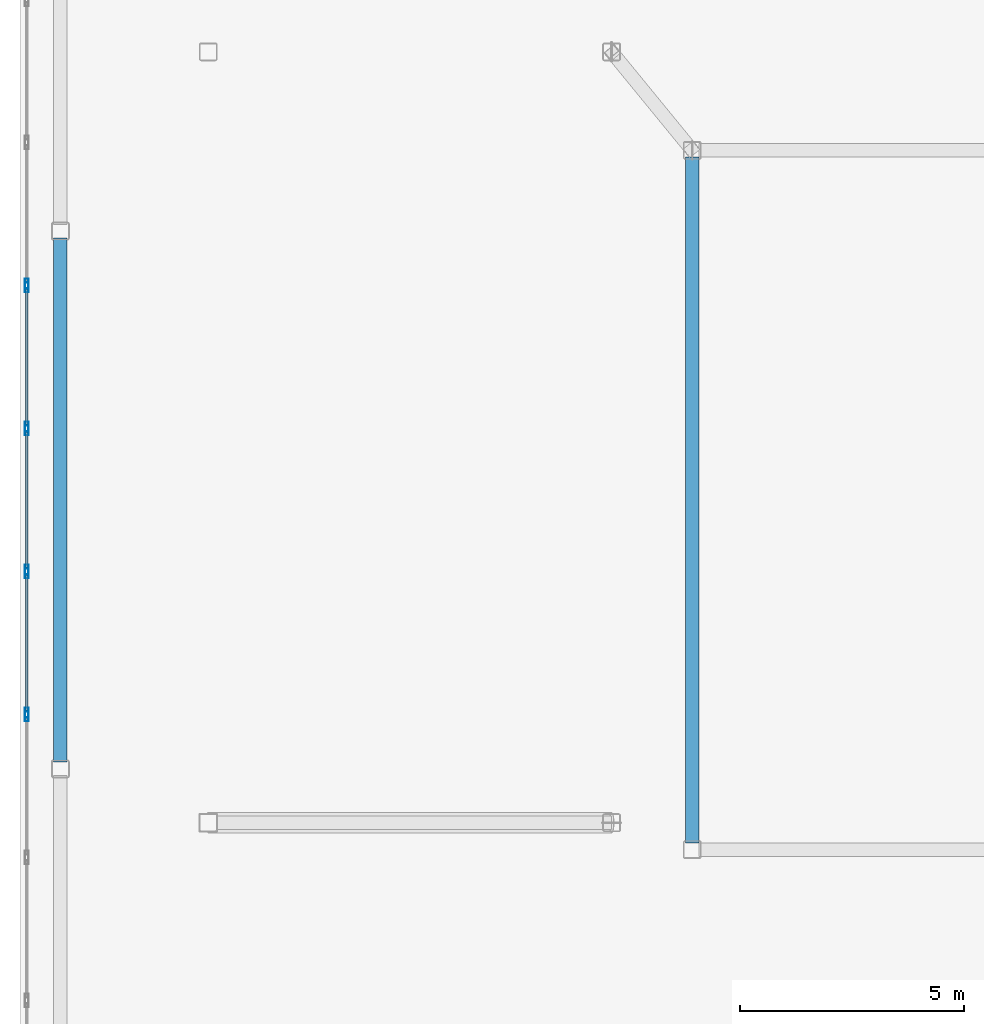
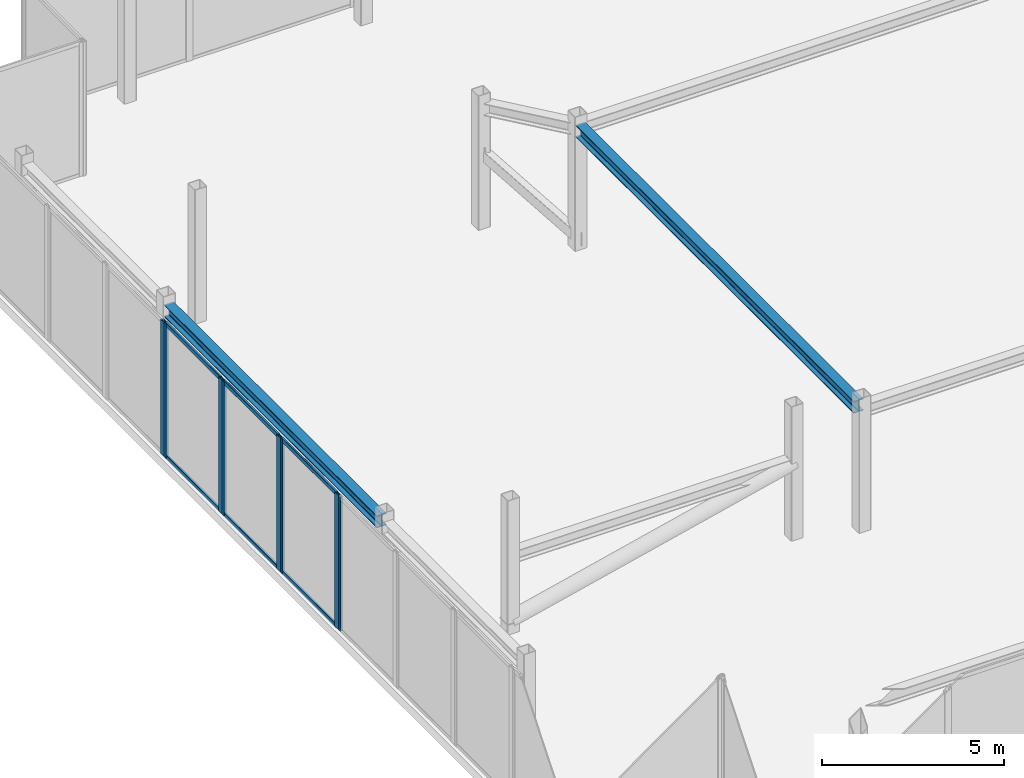
# One storey, part 5 of 14: 14 members, 2 beams, 5 elements without a shape of their own.
"""IFC4 building model written with IfcOpenShell, lengths in metres."""

from ifc_helpers import new_model, si_unit, direction, frame, origin, origin_2d, place, context, subcontext, project, spatial, hollow_rectangle, i_section, extrude, material, layer, layer_set, material_profile, profile_set, type_object, element, aggregate, save


model = new_model("IFC4")

# Units and contexts
model_context = context("Model", 3, precision=1e-05, world=origin(), true_north=direction((0.0, 1.0)))
body_context = subcontext(model_context, "Body", "Model", "MODEL_VIEW")
ifc_project = project(units=[si_unit("LENGTHUNIT", "METRE"), si_unit("AREAUNIT", "SQUARE_METRE"), si_unit("VOLUMEUNIT", "CUBIC_METRE"), si_unit("PLANEANGLEUNIT", "RADIAN"), si_unit("MASSUNIT", "GRAM", prefix="KILO")], contexts=[model_context])

# Site, building, storey
site_placement = place(None, origin())
site = spatial("IfcSite", under=ifc_project, at=site_placement, CompositionType="ELEMENT")
building_placement = place(site_placement, origin())
building = spatial("IfcBuilding", under=site, at=building_placement, Name="Tarnavaz Court Tower", CompositionType="ELEMENT")
storey_placement = place(building_placement, frame((0.0, 0.0, 286.050048828125)))
storey = spatial("IfcBuildingStorey", under=building, at=storey_placement, Name="C02", CompositionType="ELEMENT", Elevation=286.050048828125)

# Beams
ifc_material_1 = material(Name="Steel S355", Category="steel")
ifc_material_profile_1 = material_profile(ifc_material_1, i_section(OverallWidth=0.300048828125, OverallDepth=0.39990234375, WebThickness=0.013427734375, FlangeThickness=0.02392578125, FilletRadius=0.027099609375, at=origin_2d()), Name="HEB 400")
ifc_profile_set_1 = profile_set([ifc_material_profile_1], Name="Steel S355")
beam_type = type_object("IfcBeamType", Name="BM-G-HEB400", PredefinedType="USERDEFINED", material=ifc_profile_set_1)
beam_1_placement = place(storey_placement, frame((-7.800048828125, -7.64990234375, 4.0), z_axis=(0.0, 1.0, 0.0), x_axis=(-1.0, 0.0, 0.0)))
element("IfcBeam", 1, at=beam_1_placement, inside=storey, type_object=beam_type, Name="C02 Beam CRG-IW-SW-IW-NW", ObjectType="GIRDER", PredefinedType="USERDEFINED", context=body_context, shape_type="SweptSolid", body=[
    extrude(i_section(OverallWidth=0.300048828125, OverallDepth=0.39990234375, WebThickness=0.013427734375, FlangeThickness=0.02392578125, FilletRadius=0.027099609375, at=origin_2d()), origin(), (0.0, 0.0, 1.0), 15.2998046875),
])
beam_2_placement = place(storey_placement, frame((-21.89990234375, -5.85009765625, 4.0), z_axis=(0.0, 1.0, 0.0), x_axis=(-1.0, 0.0, 0.0)))
element("IfcBeam", 2, at=beam_2_placement, inside=storey, type_object=beam_type, Name="C02 Beam CRG-PW-2-PW-3", ObjectType="GIRDER", PredefinedType="USERDEFINED", context=body_context, shape_type="SweptSolid", body=[
    extrude(i_section(OverallWidth=0.300048828125, OverallDepth=0.39990234375, WebThickness=0.013427734375, FlangeThickness=0.02392578125, FilletRadius=0.027099609375, at=origin_2d()), origin(), (0.0, 0.0, 1.0), 11.7001953125),
])

# Curtain wall, member
ifc_material_2 = material(Name="Anodised Aluminium 6063-T6 and Solar Low-E Glazing", Category="aluminium")
ifc_layer = layer(ifc_material_2, 0.2099609375)
ifc_layer_set = layer_set([ifc_layer], Name="Anodised Aluminium 6063-T6 and Solar Low-E Glazing")
curtain_wall_type = type_object("IfcCurtainWallType", Name="CW-SYS-06", PredefinedType="NOTDEFINED", material=ifc_layer_set)
curtain_wall_1_placement = place(storey_placement, origin())
curtain_wall_1 = element("IfcCurtainWall", 3, at=curtain_wall_1_placement, inside=storey, type_object=curtain_wall_type, Name="C02 Slanted Crown Terracotta Curtain Wall 7", PredefinedType="NOTDEFINED")
ifc_material_3 = material(Name="Anodised Aluminium 6063-T6", Category="aluminium")
ifc_material_profile_2 = material_profile(ifc_material_3, hollow_rectangle(XDim=0.0849609375, YDim=0.219970703125, WallThickness=0.006103515625, InnerFilletRadius=0.006103515625, OuterFilletRadius=0.011962890625, at=origin_2d()), Name="ALU RHS 220X85X6")
ifc_profile_set_2 = profile_set([ifc_material_profile_2], Name="Anodised Aluminium 6063-T6")
member_type_1 = type_object("IfcMemberType", Name="CW-MUL-220", PredefinedType="MULLION", material=ifc_profile_set_2)
member_1_placement = place(storey_placement, frame((-22.64990234375, -4.828857421875, 0.0), z_axis=(0.0, 0.0, 1.0), x_axis=(-1.0, 0.0, 0.0)))
member_1 = element("IfcMember", 4, at=member_1_placement, type_object=member_type_1, Name="CW mullion 2", PredefinedType="MULLION", context=body_context, shape_type="SweptSolid", body=[
    extrude(hollow_rectangle(XDim=0.0849609375, YDim=0.219970703125, WallThickness=0.006103515625, InnerFilletRadius=0.006103515625, OuterFilletRadius=0.011962890625, at=origin_2d()), origin(), (0.0, 0.0, 1.0), 4.5),
])
aggregate(curtain_wall_1, [member_1])

# Curtain wall, members
curtain_wall_2_placement = place(storey_placement, origin())
curtain_wall_2 = element("IfcCurtainWall", 5, at=curtain_wall_2_placement, inside=storey, type_object=curtain_wall_type, Name="C02 Slanted Crown Terracotta Curtain Wall 8", PredefinedType="NOTDEFINED")
member_2_placement = place(storey_placement, frame((-22.64990234375, -4.743896484375, 0.0), z_axis=(0.0, 0.0, 1.0), x_axis=(-1.0, 0.0, 0.0)))
member_2 = element("IfcMember", 6, at=member_2_placement, type_object=member_type_1, Name="CW mullion 1", PredefinedType="MULLION", context=body_context, shape_type="SweptSolid", body=[
    extrude(hollow_rectangle(XDim=0.0849609375, YDim=0.219970703125, WallThickness=0.006103515625, InnerFilletRadius=0.006103515625, OuterFilletRadius=0.011962890625, at=origin_2d()), origin(), (0.0, 0.0, 1.0), 4.5),
])
member_3_placement = place(storey_placement, frame((-22.64990234375, -1.637939453125, 0.0), z_axis=(0.0, 0.0, 1.0), x_axis=(-1.0, 0.0, 0.0)))
member_3 = element("IfcMember", 7, at=member_3_placement, type_object=member_type_1, Name="CW mullion 2", PredefinedType="MULLION", context=body_context, shape_type="SweptSolid", body=[
    extrude(hollow_rectangle(XDim=0.0849609375, YDim=0.219970703125, WallThickness=0.006103515625, InnerFilletRadius=0.006103515625, OuterFilletRadius=0.011962890625, at=origin_2d()), origin(), (0.0, 0.0, 1.0), 4.5),
])

curtain_wall_3_placement = place(storey_placement, origin())
curtain_wall_3 = element("IfcCurtainWall", 8, at=curtain_wall_3_placement, inside=storey, type_object=curtain_wall_type, Name="C02 Slanted Crown Terracotta Curtain Wall 9", PredefinedType="NOTDEFINED")
member_4_placement = place(storey_placement, frame((-22.64990234375, -1.552978515625, 0.0), z_axis=(0.0, 0.0, 1.0), x_axis=(-1.0, 0.0, 0.0)))
member_4 = element("IfcMember", 9, at=member_4_placement, type_object=member_type_1, Name="CW mullion 1", PredefinedType="MULLION", context=body_context, shape_type="SweptSolid", body=[
    extrude(hollow_rectangle(XDim=0.0849609375, YDim=0.219970703125, WallThickness=0.006103515625, InnerFilletRadius=0.006103515625, OuterFilletRadius=0.011962890625, at=origin_2d()), origin(), (0.0, 0.0, 1.0), 4.5),
])
member_5_placement = place(storey_placement, frame((-22.64990234375, 1.552978515625, 0.0), z_axis=(0.0, 0.0, 1.0), x_axis=(-1.0, 0.0, 0.0)))
member_5 = element("IfcMember", 10, at=member_5_placement, type_object=member_type_1, Name="CW mullion 2", PredefinedType="MULLION", context=body_context, shape_type="SweptSolid", body=[
    extrude(hollow_rectangle(XDim=0.0849609375, YDim=0.219970703125, WallThickness=0.006103515625, InnerFilletRadius=0.006103515625, OuterFilletRadius=0.011962890625, at=origin_2d()), origin(), (0.0, 0.0, 1.0), 4.5),
])

curtain_wall_4_placement = place(storey_placement, origin())
curtain_wall_4 = element("IfcCurtainWall", 11, at=curtain_wall_4_placement, inside=storey, type_object=curtain_wall_type, Name="C02 Slanted Crown Terracotta Curtain Wall 10", PredefinedType="NOTDEFINED")
member_6_placement = place(storey_placement, frame((-22.64990234375, 1.637939453125, 0.0), z_axis=(0.0, 0.0, 1.0), x_axis=(-1.0, 0.0, 0.0)))
member_6 = element("IfcMember", 12, at=member_6_placement, type_object=member_type_1, Name="CW mullion 1", PredefinedType="MULLION", context=body_context, shape_type="SweptSolid", body=[
    extrude(hollow_rectangle(XDim=0.0849609375, YDim=0.219970703125, WallThickness=0.006103515625, InnerFilletRadius=0.006103515625, OuterFilletRadius=0.011962890625, at=origin_2d()), origin(), (0.0, 0.0, 1.0), 4.5),
])
member_7_placement = place(storey_placement, frame((-22.64990234375, 4.743896484375, 0.0), z_axis=(0.0, 0.0, 1.0), x_axis=(-1.0, 0.0, 0.0)))
member_7 = element("IfcMember", 13, at=member_7_placement, type_object=member_type_1, Name="CW mullion 2", PredefinedType="MULLION", context=body_context, shape_type="SweptSolid", body=[
    extrude(hollow_rectangle(XDim=0.0849609375, YDim=0.219970703125, WallThickness=0.006103515625, InnerFilletRadius=0.006103515625, OuterFilletRadius=0.011962890625, at=origin_2d()), origin(), (0.0, 0.0, 1.0), 4.5),
])

# Curtain wall, member
curtain_wall_5_placement = place(storey_placement, origin())
curtain_wall_5 = element("IfcCurtainWall", 14, at=curtain_wall_5_placement, inside=storey, type_object=curtain_wall_type, Name="C02 Slanted Crown Terracotta Curtain Wall 11", PredefinedType="NOTDEFINED")
member_8_placement = place(storey_placement, frame((-22.64990234375, 4.828857421875, 0.0), z_axis=(0.0, 0.0, 1.0), x_axis=(-1.0, 0.0, 0.0)))
member_8 = element("IfcMember", 15, at=member_8_placement, type_object=member_type_1, Name="CW mullion 1", PredefinedType="MULLION", context=body_context, shape_type="SweptSolid", body=[
    extrude(hollow_rectangle(XDim=0.0849609375, YDim=0.219970703125, WallThickness=0.006103515625, InnerFilletRadius=0.006103515625, OuterFilletRadius=0.011962890625, at=origin_2d()), origin(), (0.0, 0.0, 1.0), 4.5),
])
aggregate(curtain_wall_5, [member_8])

# Member
ifc_material_profile_3 = material_profile(ifc_material_3, hollow_rectangle(XDim=0.06494140625, YDim=0.139892578125, WallThickness=0.00390625, InnerFilletRadius=0.00390625, OuterFilletRadius=0.008056640625, at=origin_2d()), Name="ALU RHS 140X65X4")
ifc_profile_set_3 = profile_set([ifc_material_profile_3], Name="Anodised Aluminium 6063-T6")
member_type_2 = type_object("IfcMemberType", Name="CW-TRN-140", PredefinedType="USERDEFINED", material=ifc_profile_set_3)
member_9_placement = place(storey_placement, frame((-22.64990234375, -4.701416015625, 0.032470703125), z_axis=(0.0, 1.0, 0.0), x_axis=(-1.0, 0.0, 0.0)))
member_9 = element("IfcMember", 16, at=member_9_placement, type_object=member_type_2, Name="CW transom 1.1", ObjectType="TRANSOM", PredefinedType="USERDEFINED", context=body_context, shape_type="SweptSolid", body=[
    extrude(hollow_rectangle(XDim=0.06494140625, YDim=0.139892578125, WallThickness=0.00390625, InnerFilletRadius=0.00390625, OuterFilletRadius=0.008056640625, at=origin_2d()), origin(), (0.0, 0.0, 1.0), 3.02099609375),
])

member_10_placement = place(storey_placement, frame((-22.64990234375, -4.701416015625, 4.467529296875), z_axis=(0.0, 1.0, 0.0), x_axis=(-1.0, 0.0, 0.0)))
member_10 = element("IfcMember", 17, at=member_10_placement, type_object=member_type_2, Name="CW transom 1.2", ObjectType="TRANSOM", PredefinedType="USERDEFINED", context=body_context, shape_type="SweptSolid", body=[
    extrude(hollow_rectangle(XDim=0.06494140625, YDim=0.139892578125, WallThickness=0.00390625, InnerFilletRadius=0.00390625, OuterFilletRadius=0.008056640625, at=origin_2d()), origin(), (0.0, 0.0, 1.0), 3.02099609375),
])

aggregate(curtain_wall_2, [member_2, member_3, member_9, member_10])

member_11_placement = place(storey_placement, frame((-22.64990234375, -1.510498046875, 0.032470703125), z_axis=(0.0, 1.0, 0.0), x_axis=(-1.0, 0.0, 0.0)))
member_11 = element("IfcMember", 18, at=member_11_placement, type_object=member_type_2, Name="CW transom 1.1", ObjectType="TRANSOM", PredefinedType="USERDEFINED", context=body_context, shape_type="SweptSolid", body=[
    extrude(hollow_rectangle(XDim=0.06494140625, YDim=0.139892578125, WallThickness=0.00390625, InnerFilletRadius=0.00390625, OuterFilletRadius=0.008056640625, at=origin_2d()), origin(), (0.0, 0.0, 1.0), 3.02099609375),
])

member_12_placement = place(storey_placement, frame((-22.64990234375, -1.510498046875, 4.467529296875), z_axis=(0.0, 1.0, 0.0), x_axis=(-1.0, 0.0, 0.0)))
member_12 = element("IfcMember", 19, at=member_12_placement, type_object=member_type_2, Name="CW transom 1.2", ObjectType="TRANSOM", PredefinedType="USERDEFINED", context=body_context, shape_type="SweptSolid", body=[
    extrude(hollow_rectangle(XDim=0.06494140625, YDim=0.139892578125, WallThickness=0.00390625, InnerFilletRadius=0.00390625, OuterFilletRadius=0.008056640625, at=origin_2d()), origin(), (0.0, 0.0, 1.0), 3.02099609375),
])

aggregate(curtain_wall_3, [member_4, member_5, member_11, member_12])

member_13_placement = place(storey_placement, frame((-22.64990234375, 1.680419921875, 0.032470703125), z_axis=(0.0, 1.0, 0.0), x_axis=(-1.0, 0.0, 0.0)))
member_13 = element("IfcMember", 20, at=member_13_placement, type_object=member_type_2, Name="CW transom 1.1", ObjectType="TRANSOM", PredefinedType="USERDEFINED", context=body_context, shape_type="SweptSolid", body=[
    extrude(hollow_rectangle(XDim=0.06494140625, YDim=0.139892578125, WallThickness=0.00390625, InnerFilletRadius=0.00390625, OuterFilletRadius=0.008056640625, at=origin_2d()), origin(), (0.0, 0.0, 1.0), 3.02099609375),
])

member_14_placement = place(storey_placement, frame((-22.64990234375, 1.680419921875, 4.467529296875), z_axis=(0.0, 1.0, 0.0), x_axis=(-1.0, 0.0, 0.0)))
member_14 = element("IfcMember", 21, at=member_14_placement, type_object=member_type_2, Name="CW transom 1.2", ObjectType="TRANSOM", PredefinedType="USERDEFINED", context=body_context, shape_type="SweptSolid", body=[
    extrude(hollow_rectangle(XDim=0.06494140625, YDim=0.139892578125, WallThickness=0.00390625, InnerFilletRadius=0.00390625, OuterFilletRadius=0.008056640625, at=origin_2d()), origin(), (0.0, 0.0, 1.0), 3.02099609375),
])

aggregate(curtain_wall_4, [member_6, member_7, member_13, member_14])

save(model, "model.ifc")
